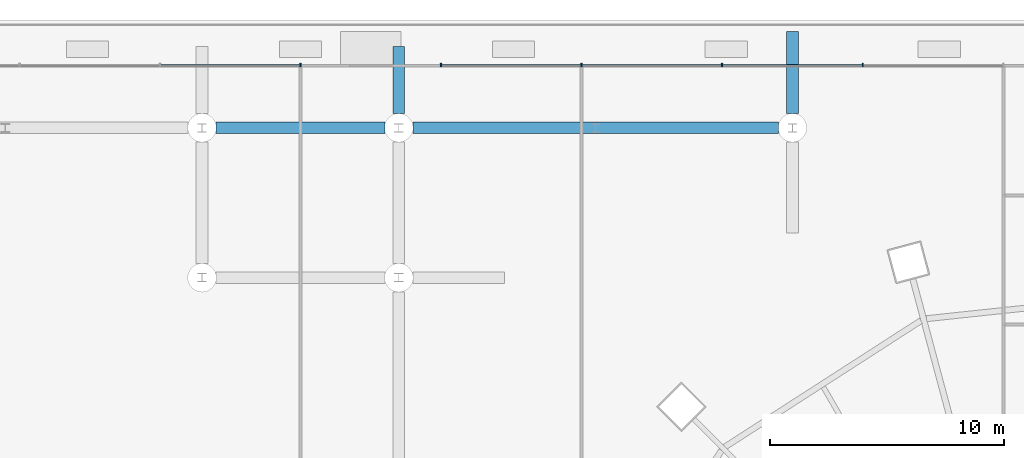
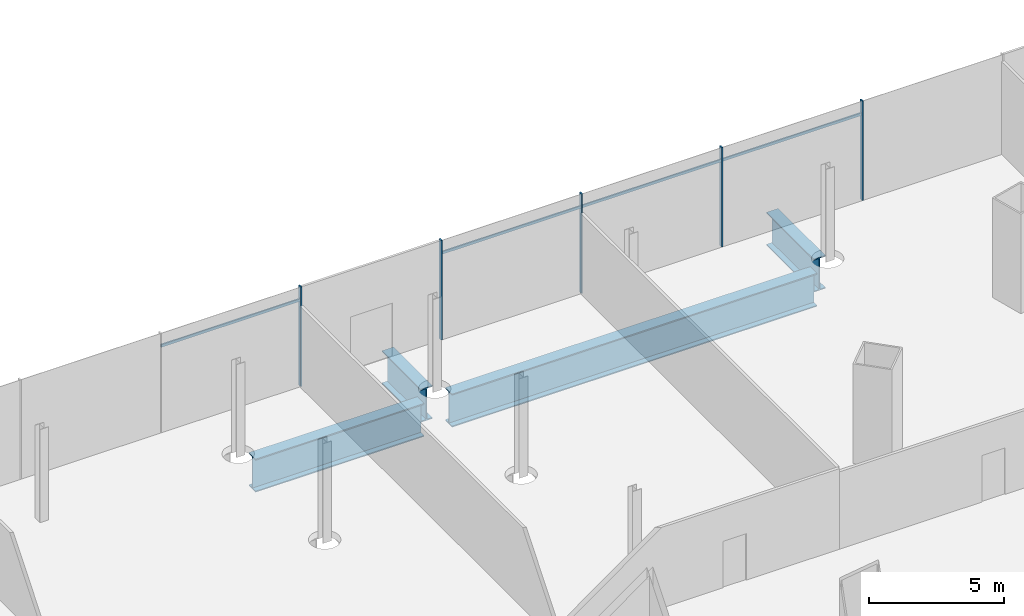
# One storey, part 32 of 56: 9 members, 4 beams, 1 element without a shape of its own.
"""IFC4 building model written with IfcOpenShell, lengths in metres."""

from ifc_helpers import new_model, si_unit, direction, frame, origin, origin_2d, place, context, subcontext, project, spatial, rectangle, i_section, extrude, material, material_profile, profile_set, type_object, element, aggregate, save


model = new_model("IFC4")

# Units and contexts
model_context = context("Model", 3, precision=1e-05, world=origin(), true_north=direction((0.0, 1.0)))
body_context = subcontext(model_context, "Body", "Model", "MODEL_VIEW")
ifc_project = project(units=[si_unit("LENGTHUNIT", "METRE"), si_unit("AREAUNIT", "SQUARE_METRE"), si_unit("VOLUMEUNIT", "CUBIC_METRE"), si_unit("PLANEANGLEUNIT", "RADIAN"), si_unit("MASSUNIT", "GRAM", prefix="KILO")], contexts=[model_context])

# Site, building, storey
site_placement = place(None, origin())
site = spatial("IfcSite", under=ifc_project, at=site_placement, CompositionType="ELEMENT")
building_placement = place(site_placement, origin())
building = spatial("IfcBuilding", under=site, at=building_placement, Name="Rimbun Link Towers", CompositionType="ELEMENT")
storey_placement = place(building_placement, frame((0.0, 0.0, 16.5)))
storey = spatial("IfcBuildingStorey", under=building, at=storey_placement, Name="L03", CompositionType="ELEMENT", Elevation=16.5)

# Curtain wall, members
ifc_material_1 = material(Name="Aluminium 6063-T6 and low-iron glass", Category="aluminium")
curtain_wall_type = type_object("IfcCurtainWallType", Name="CW3 podium shopfront", PredefinedType="NOTDEFINED", material=ifc_material_1)
curtain_wall_placement = place(storey_placement, origin())
curtain_wall = element("IfcCurtainWall", 1, at=curtain_wall_placement, inside=storey, type_object=curtain_wall_type, Name="CW3 L03 PD", PredefinedType="NOTDEFINED")
ifc_material_2 = material(Name="Aluminium 6063-T6", Category="aluminium")
ifc_material_profile_1 = material_profile(ifc_material_2, rectangle(XDim=0.14990234375, YDim=0.06005859375, at=origin_2d()), Name="MULLION 60X150")
ifc_profile_set_1 = profile_set([ifc_material_profile_1], Name="Aluminium 6063-T6")
member_type_1 = type_object("IfcMemberType", Name="CW3 mullion 60X150", PredefinedType="MULLION", material=ifc_profile_set_1)
member_1_placement = place(storey_placement, frame((24.0, 30.074951171875, 0.0), z_axis=(0.0, 0.0, 1.0), x_axis=(0.0, 1.0, 0.0)))
member_1 = element("IfcMember", 2, at=member_1_placement, type_object=member_type_1, Name="CW3 mullion", PredefinedType="MULLION", context=body_context, shape_type="SweptSolid", body=[
    extrude(rectangle(XDim=0.14990234375, YDim=0.06005859375, at=origin_2d()), origin(), (0.0, 0.0, 1.0), 4.5),
])
member_2_placement = place(storey_placement, frame((18.0, 30.074951171875, 0.0), z_axis=(0.0, 0.0, 1.0), x_axis=(0.0, 1.0, 0.0)))
member_2 = element("IfcMember", 3, at=member_2_placement, type_object=member_type_1, Name="CW3 mullion", PredefinedType="MULLION", context=body_context, shape_type="SweptSolid", body=[
    extrude(rectangle(XDim=0.14990234375, YDim=0.06005859375, at=origin_2d()), origin(), (0.0, 0.0, 1.0), 4.5),
])
member_3_placement = place(storey_placement, frame((12.0, 30.074951171875, 0.0), z_axis=(0.0, 0.0, 1.0), x_axis=(0.0, 1.0, 0.0)))
member_3 = element("IfcMember", 4, at=member_3_placement, type_object=member_type_1, Name="CW3 mullion", PredefinedType="MULLION", context=body_context, shape_type="SweptSolid", body=[
    extrude(rectangle(XDim=0.14990234375, YDim=0.06005859375, at=origin_2d()), origin(), (0.0, 0.0, 1.0), 4.5),
])
member_4_placement = place(storey_placement, frame((6.0, 30.074951171875, 0.0), z_axis=(0.0, 0.0, 1.0), x_axis=(0.0, 1.0, 0.0)))
member_4 = element("IfcMember", 5, at=member_4_placement, type_object=member_type_1, Name="CW3 mullion", PredefinedType="MULLION", context=body_context, shape_type="SweptSolid", body=[
    extrude(rectangle(XDim=0.14990234375, YDim=0.06005859375, at=origin_2d()), origin(), (0.0, 0.0, 1.0), 4.5),
])
member_5_placement = place(storey_placement, frame((0.0, 30.074951171875, 0.0), z_axis=(0.0, 0.0, 1.0), x_axis=(0.0, 1.0, 0.0)))
member_5 = element("IfcMember", 6, at=member_5_placement, type_object=member_type_1, Name="CW3 mullion", PredefinedType="MULLION", context=body_context, shape_type="SweptSolid", body=[
    extrude(rectangle(XDim=0.14990234375, YDim=0.06005859375, at=origin_2d()), origin(), (0.0, 0.0, 1.0), 4.5),
])
ifc_material_3 = material(Name="Aluminium 6063-T6", Category="aluminium")
ifc_material_profile_2 = material_profile(ifc_material_3, rectangle(XDim=0.06005859375, YDim=0.1201171875, at=origin_2d()), Name="TRANSOM 60X120")
ifc_profile_set_2 = profile_set([ifc_material_profile_2], Name="Aluminium 6063-T6")
member_type_2 = type_object("IfcMemberType", Name="CW3 transom 60X120", PredefinedType="USERDEFINED", material=ifc_profile_set_2)
member_6_placement = place(storey_placement, frame((18.030029296875, 30.053955078125, 3.89990234375), z_axis=(1.0, 0.0, 0.0), x_axis=(0.0, 1.0, 0.0)))
member_6 = element("IfcMember", 7, at=member_6_placement, type_object=member_type_2, Name="CW3 transom", ObjectType="TRANSOM", PredefinedType="USERDEFINED", context=body_context, shape_type="SweptSolid", body=[
    extrude(rectangle(XDim=0.06005859375, YDim=0.1201171875, at=origin_2d()), origin(), (0.0, 0.0, 1.0), 5.93994140625),
])
member_7_placement = place(storey_placement, frame((12.030029296875, 30.053955078125, 3.89990234375), z_axis=(1.0, 0.0, 0.0), x_axis=(0.0, 1.0, 0.0)))
member_7 = element("IfcMember", 8, at=member_7_placement, type_object=member_type_2, Name="CW3 transom", ObjectType="TRANSOM", PredefinedType="USERDEFINED", context=body_context, shape_type="SweptSolid", body=[
    extrude(rectangle(XDim=0.06005859375, YDim=0.1201171875, at=origin_2d()), origin(), (0.0, 0.0, 1.0), 5.93994140625),
])
member_8_placement = place(storey_placement, frame((6.030029296875, 30.053955078125, 3.89990234375), z_axis=(1.0, 0.0, 0.0), x_axis=(0.0, 1.0, 0.0)))
member_8 = element("IfcMember", 9, at=member_8_placement, type_object=member_type_2, Name="CW3 transom", ObjectType="TRANSOM", PredefinedType="USERDEFINED", context=body_context, shape_type="SweptSolid", body=[
    extrude(rectangle(XDim=0.06005859375, YDim=0.1201171875, at=origin_2d()), origin(), (0.0, 0.0, 1.0), 5.93994140625),
])
member_9_placement = place(storey_placement, frame((-5.969970703125, 30.053955078125, 3.89990234375), z_axis=(1.0, 0.0, 0.0), x_axis=(0.0, 1.0, 0.0)))
member_9 = element("IfcMember", 10, at=member_9_placement, type_object=member_type_2, Name="CW3 transom", ObjectType="TRANSOM", PredefinedType="USERDEFINED", context=body_context, shape_type="SweptSolid", body=[
    extrude(rectangle(XDim=0.06005859375, YDim=0.1201171875, at=origin_2d()), origin(), (0.0, 0.0, 1.0), 5.93994140625),
])
aggregate(curtain_wall, [member_1, member_2, member_3, member_4, member_5, member_6, member_7, member_8, member_9])

# Beams
ifc_material_4 = material(Name="Steel S355J2", Category="steel")
ifc_material_profile_3 = material_profile(ifc_material_4, i_section(OverallWidth=0.5, OverallDepth=1.5, WebThickness=0.030029296875, FlangeThickness=0.050048828125, at=origin_2d()), Name="PG 1500x500x30/50")
ifc_profile_set_3 = profile_set([ifc_material_profile_3], Name="Steel S355J2")
beam_type = type_object("IfcBeamType", Name="PG 1500x500x30/50", PredefinedType="BEAM", material=ifc_profile_set_3)
beam_1_placement = place(storey_placement, frame((-3.60009765625, 27.39990234375, -1.050048828125), z_axis=(1.0, 0.0, 0.0), x_axis=(0.0, 1.0, 0.0)))
element("IfcBeam", 11, at=beam_1_placement, inside=storey, type_object=beam_type, Name="Grid beam L03 +27.4", PredefinedType="BEAM", context=body_context, shape_type="SweptSolid", body=[
    extrude(i_section(OverallWidth=0.5, OverallDepth=1.5, WebThickness=0.030029296875, FlangeThickness=0.050048828125, at=origin_2d()), origin(), (0.0, 0.0, 1.0), 7.2001953125),
])
beam_2_placement = place(storey_placement, frame((4.800048828125, 27.39990234375, -1.050048828125), z_axis=(1.0, 0.0, 0.0), x_axis=(0.0, 1.0, 0.0)))
element("IfcBeam", 12, at=beam_2_placement, inside=storey, type_object=beam_type, Name="Grid beam L03 +27.4", PredefinedType="BEAM", context=body_context, shape_type="SweptSolid", body=[
    extrude(i_section(OverallWidth=0.5, OverallDepth=1.5, WebThickness=0.030029296875, FlangeThickness=0.050048828125, at=origin_2d()), origin(), (0.0, 0.0, 1.0), 15.599853515625),
])
beam_3_placement = place(storey_placement, frame((4.199951171875, 28.0, -1.050048828125), z_axis=(0.0, 1.0, 0.0), x_axis=(-1.0, 0.0, 0.0)))
element("IfcBeam", 13, at=beam_3_placement, inside=storey, type_object=beam_type, Name="Grid beam L03 +4.2", PredefinedType="BEAM", context=body_context, shape_type="SweptSolid", body=[
    extrude(i_section(OverallWidth=0.5, OverallDepth=1.5, WebThickness=0.030029296875, FlangeThickness=0.050048828125, at=origin_2d()), origin(), (0.0, 0.0, 1.0), 2.875),
])
beam_4_placement = place(storey_placement, frame((21.0, 28.0, -1.050048828125), z_axis=(0.0, 1.0, 0.0), x_axis=(-1.0, 0.0, 0.0)))
element("IfcBeam", 14, at=beam_4_placement, inside=storey, type_object=beam_type, Name="Grid beam L03 +21.0", PredefinedType="BEAM", context=body_context, shape_type="SweptSolid", body=[
    extrude(i_section(OverallWidth=0.5, OverallDepth=1.5, WebThickness=0.030029296875, FlangeThickness=0.050048828125, at=origin_2d()), origin(), (0.0, 0.0, 1.0), 3.5),
])

save(model, "model.ifc")
